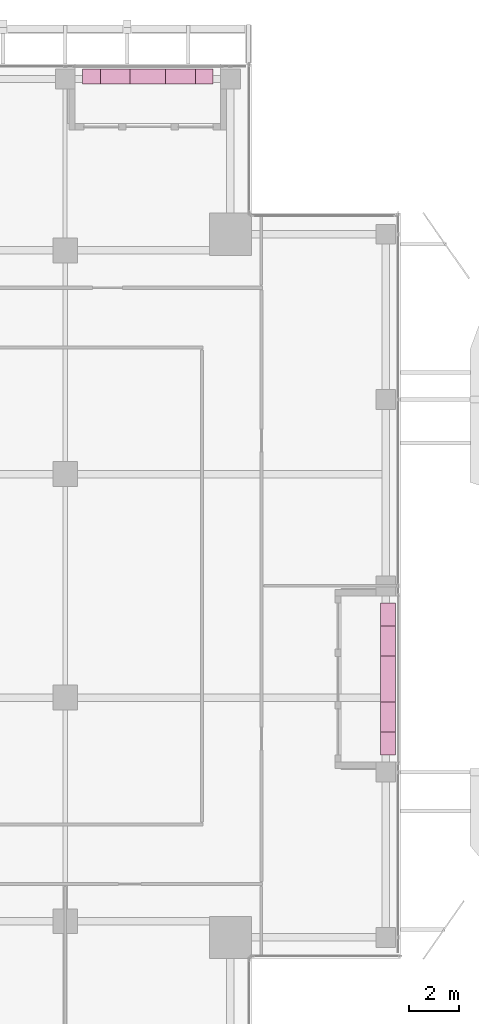
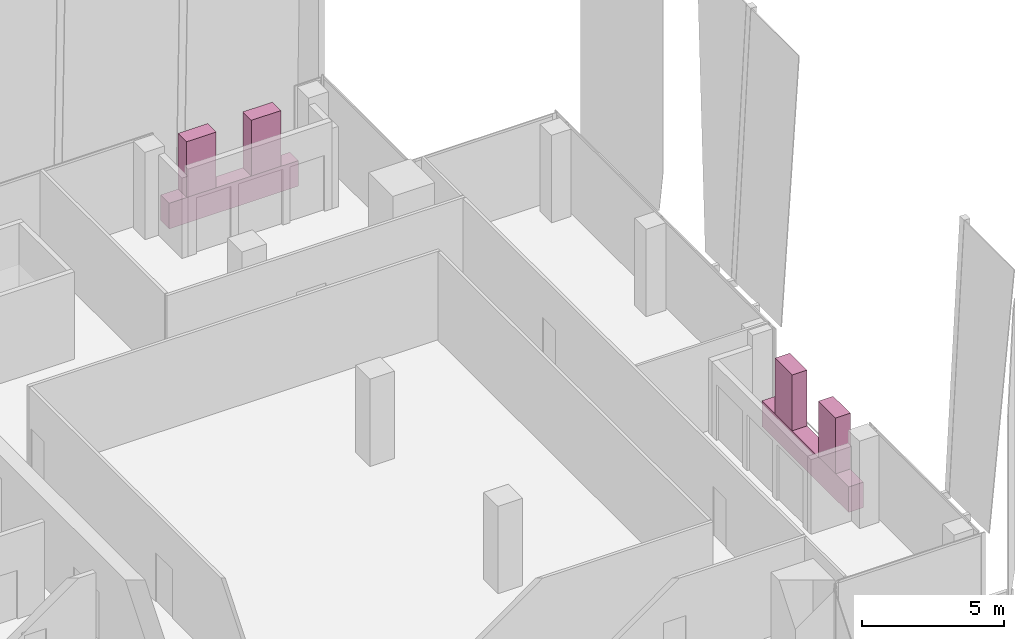
# One storey, part 32 of 32: 6 furnishings.
"""IFC4 building model written with IfcOpenShell, lengths in metres."""

from ifc_helpers import new_model, si_unit, direction, frame, origin, origin_2d, place, context, subcontext, project, spatial, rectangle, extrude, source, transform, mapped, material, type_object, element, save


model = new_model("IFC4")

# Units and contexts
model_context = context("Model", 3, precision=1e-05, world=origin(), true_north=direction((0.0, 1.0)))
body_context = subcontext(model_context, "Body", "Model", "MODEL_VIEW")
ifc_project = project(units=[si_unit("LENGTHUNIT", "METRE"), si_unit("AREAUNIT", "SQUARE_METRE"), si_unit("VOLUMEUNIT", "CUBIC_METRE"), si_unit("PLANEANGLEUNIT", "RADIAN"), si_unit("MASSUNIT", "GRAM", prefix="KILO")], contexts=[model_context])

# Site, building, storey
site_placement = place(None, origin())
site = spatial("IfcSite", under=ifc_project, at=site_placement, CompositionType="ELEMENT")
building_placement = place(site_placement, origin())
building = spatial("IfcBuilding", under=site, at=building_placement, Name="Khomas Fold Tower", CompositionType="ELEMENT")
storey_placement = place(building_placement, frame((0.0, 0.0, 318.199951171875)))
storey = spatial("IfcBuildingStorey", under=building, at=storey_placement, Name="L72", CompositionType="ELEMENT", Elevation=318.199951171875)

# Furnishings
ifc_material_1 = material(Name="Planting")
furnishing_element_type_1 = type_object("IfcFurnishingElementType", Name="BL-Tree Karee", material=ifc_material_1)
shared_shape_1 = source(origin(), body_context, "Body", "SweptSolid", [
    extrude(rectangle(XDim=1.199951171875, YDim=0.60009765625, at=origin_2d()), origin(), (0.0, 0.0, 1.0), 2.39501953125),
])
furnishing_1_placement = place(storey_placement, frame((47.5, 21.72509765625, 1.054931640625), z_axis=(0.0, 0.0, 1.0), x_axis=(0.0, 1.0, 0.0)))
element("IfcFurnishingElement", 1, at=furnishing_1_placement, inside=storey, type_object=furnishing_element_type_1, Name="PLANTER (TREE) Karee BAL-L72-E2-1", context=body_context, shape_type="MappedRepresentation", body=[
    mapped(shared_shape_1, transform((0.0, 0.0, 0.0))),
])
ifc_material_2 = material(Name="Planting")
furnishing_element_type_2 = type_object("IfcFurnishingElementType", Name="BL-Tree Wild olive", material=ifc_material_2)
furnishing_2_placement = place(storey_placement, frame((47.5, 24.77490234375, 1.054931640625), z_axis=(0.0, 0.0, 1.0), x_axis=(0.0, 1.0, 0.0)))
element("IfcFurnishingElement", 2, at=furnishing_2_placement, inside=storey, type_object=furnishing_element_type_2, Name="PLANTER (TREE) Wild olive BAL-L72-E2-2", context=body_context, shape_type="MappedRepresentation", body=[
    mapped(shared_shape_1, transform((0.0, 0.0, 0.0))),
])
furnishing_3_placement = place(storey_placement, frame((36.512451171875, 47.5, 1.054931640625), z_axis=(0.0, 0.0, 1.0), x_axis=(1.0, 0.0, 0.0)))
element("IfcFurnishingElement", 3, at=furnishing_3_placement, inside=storey, type_object=furnishing_element_type_1, Name="PLANTER (TREE) Karee BAL-L72-N4-1", context=body_context, shape_type="MappedRepresentation", body=[
    mapped(shared_shape_1, transform((0.0, 0.0, 0.0))),
])
furnishing_4_placement = place(storey_placement, frame((39.137451171875, 47.5, 1.054931640625), z_axis=(0.0, 0.0, 1.0), x_axis=(1.0, 0.0, 0.0)))
element("IfcFurnishingElement", 4, at=furnishing_4_placement, inside=storey, type_object=furnishing_element_type_2, Name="PLANTER (TREE) Wild olive BAL-L72-N4-2", context=body_context, shape_type="MappedRepresentation", body=[
    mapped(shared_shape_1, transform((0.0, 0.0, 0.0))),
])
ifc_material_3 = material(Name="Precast concrete C40/50", Category="concrete")
furnishing_element_type_3 = type_object("IfcFurnishingElementType", Name="BL-Structural planter box", material=ifc_material_3)
shared_shape_2 = source(origin(), body_context, "Body", "SweptSolid", [
    extrude(rectangle(XDim=5.25, YDim=0.60009765625, at=origin_2d()), origin(), (0.0, 0.0, 1.0), 1.10009765625),
])
furnishing_5_placement = place(storey_placement, frame((37.824951171875, 47.5, -0.044921875), z_axis=(0.0, 0.0, 1.0), x_axis=(1.0, 0.0, 0.0)))
element("IfcFurnishingElement", 5, at=furnishing_5_placement, inside=storey, type_object=furnishing_element_type_3, Name="PLANTER BAL-L72-N4", context=body_context, shape_type="MappedRepresentation", body=[
    mapped(shared_shape_2, transform((0.0, 0.0, 0.0))),
])
shared_shape_3 = source(origin(), body_context, "Body", "SweptSolid", [
    extrude(rectangle(XDim=6.10009765625, YDim=0.60009765625, at=origin_2d()), origin(), (0.0, 0.0, 1.0), 1.10009765625),
])
furnishing_6_placement = place(storey_placement, frame((47.5, 23.25, -0.044921875), z_axis=(0.0, 0.0, 1.0), x_axis=(0.0, 1.0, 0.0)))
element("IfcFurnishingElement", 6, at=furnishing_6_placement, inside=storey, type_object=furnishing_element_type_3, Name="PLANTER BAL-L72-E2", context=body_context, shape_type="MappedRepresentation", body=[
    mapped(shared_shape_3, transform((0.0, 0.0, 0.0))),
])

save(model, "model.ifc")
